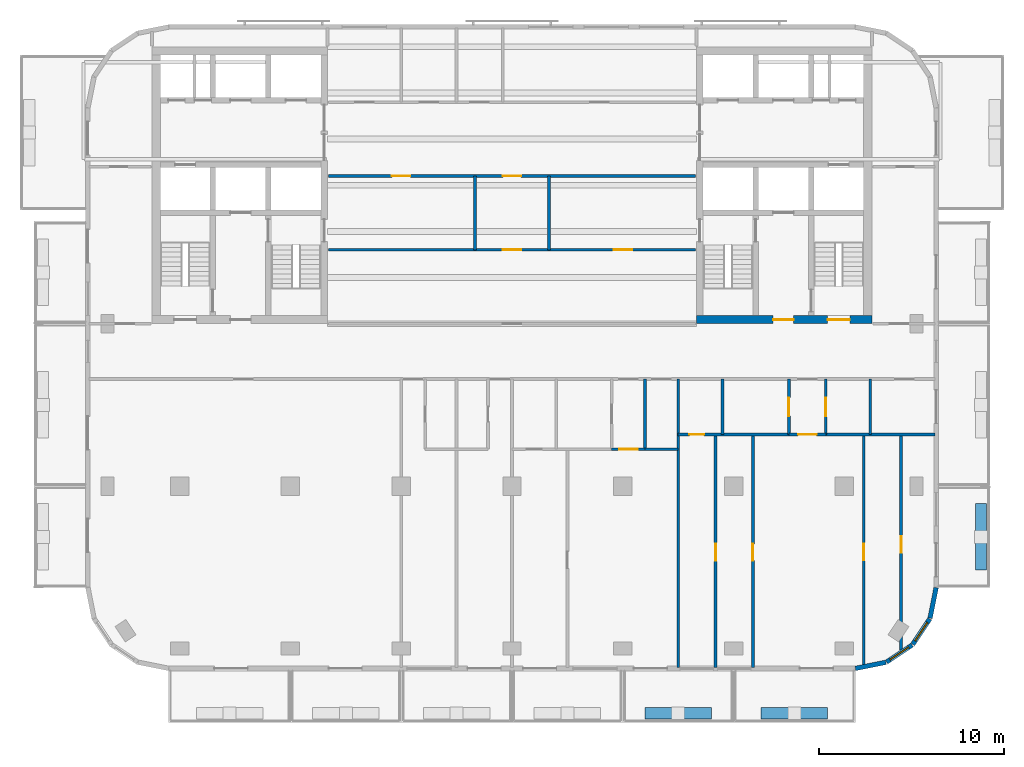
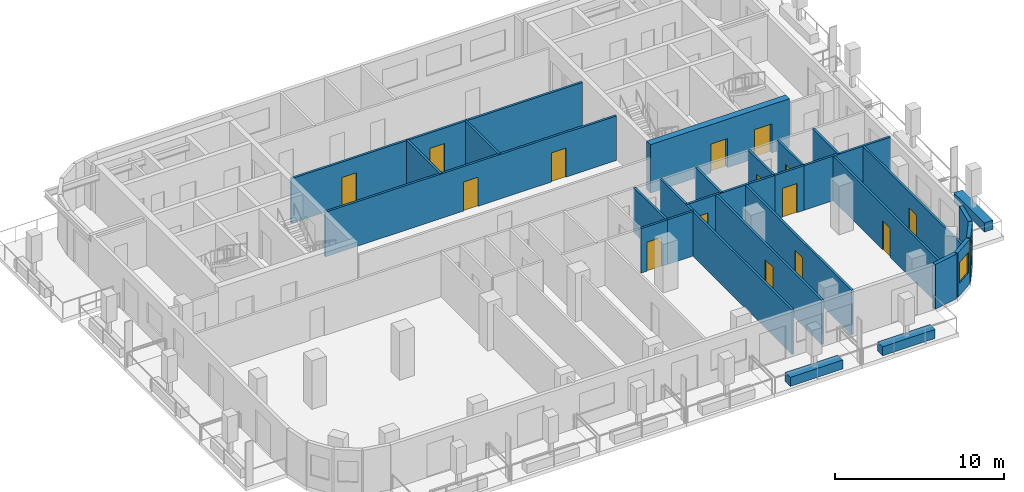
# One storey, part 4 of 10: 27 walls, 15 doors, 2 windows, 17 openings.
"""IFC4 building model written with IfcOpenShell, lengths in metres."""

from ifc_helpers import new_model, si_unit, direction, frame, frame_2d, origin, place, context, subcontext, project, spatial, rectangle, extrude, material, layer, layer_set, type_object, element, fill, save


model = new_model("IFC4")

# Units and contexts
model_context = context("Model", 3, precision=1e-05, world=origin(), true_north=direction((0.0, 1.0)))
body_context = subcontext(model_context, "Body", "Model", "MODEL_VIEW")
ifc_project = project(units=[si_unit("LENGTHUNIT", "METRE"), si_unit("AREAUNIT", "SQUARE_METRE"), si_unit("VOLUMEUNIT", "CUBIC_METRE"), si_unit("PLANEANGLEUNIT", "RADIAN"), si_unit("MASSUNIT", "GRAM", prefix="KILO")], contexts=[model_context])

# Site, building, storey
site_placement = place(None, origin())
site = spatial("IfcSite", under=ifc_project, at=site_placement, CompositionType="ELEMENT")
building_placement = place(site_placement, origin())
building = spatial("IfcBuilding", under=site, at=building_placement, Name="Torana Hotel and Residences", CompositionType="ELEMENT")
storey_placement = place(building_placement, frame((0.0, 0.0, 301.60009765625)))
storey = spatial("IfcBuildingStorey", under=building, at=storey_placement, Name="L80", CompositionType="ELEMENT", Elevation=301.60009765625)

# Wall, openings, doors
ifc_material_1 = material(Name="Concrete C60/75", Category="concrete")
ifc_layer_1 = layer(ifc_material_1, 0.449951171875)
ifc_layer_set_1 = layer_set([ifc_layer_1], Name="CORE WALL 450 C60/75")
wall_type_1 = type_object("IfcWallType", Name="CORE WALL 450 C60/75", PredefinedType="SHEAR", material=ifc_layer_set_1)
wall_1_placement = place(storey_placement, frame((10.0, -14.77490234375, 0.0), z_axis=(0.0, 0.0, 1.0), x_axis=(1.0, 0.0, 0.0)))
wall_1 = element("IfcWall", 1, at=wall_1_placement, inside=storey, type_object=wall_type_1, Name="Core wall E front", PredefinedType="SHEAR", context=body_context, shape_type="SweptSolid", body=[
    extrude(rectangle(XDim=9.5, YDim=0.449951171875, at=frame_2d((4.75, 0.0))), origin(), (0.0, 0.0, 1.0), 3.5),
])
opening_1_placement = place(wall_1_placement, frame((7.10009765625, 0.0, 0.0)))
opening_1 = element("IfcOpeningElement", 2, at=opening_1_placement, cuts=wall_1, Name="Opening L80-13", PredefinedType="OPENING", context=body_context, shape_type="SweptSolid", body=[
    extrude(rectangle(XDim=1.199951171875, YDim=2.10009765625, at=frame_2d((0.60009765625, 1.050048828125))), frame((0.0, 0.23486328125, 0.0), z_axis=(0.0, -1.0, 0.0), x_axis=(1.0, 0.0, 0.0)), (0.0, 0.0, 1.0), 0.469970703125),
])
opening_2_placement = place(wall_1_placement, frame((4.14990234375, 0.0, 0.0)))
opening_2 = element("IfcOpeningElement", 3, at=opening_2_placement, cuts=wall_1, Name="Opening L80-14", PredefinedType="OPENING", context=body_context, shape_type="SweptSolid", body=[
    extrude(rectangle(XDim=1.10009765625, YDim=2.10009765625, at=frame_2d((0.550048828125, 1.050048828125))), frame((0.0, 0.23486328125, 0.0), z_axis=(0.0, -1.0, 0.0), x_axis=(1.0, 0.0, 0.0)), (0.0, 0.0, 1.0), 0.469970703125),
])
ifc_material_2 = material(Name="Steel S235", Category="steel")
door_type_1 = type_object("IfcDoorType", Name="FIRE-FIGHTING LOBBY DOOR D8 1100x2100", OperationType="SINGLE_SWING_LEFT", PredefinedType="DOOR", material=ifc_material_2)
door_1_placement = place(opening_2_placement, origin())
door_1 = element("IfcDoor", 4, at=door_1_placement, inside=storey, type_object=door_type_1, Name="FF-lobby door L80", OperationType="SINGLE_SWING_RIGHT", OverallHeight=2.10009765625, OverallWidth=1.10009765625, PredefinedType="DOOR", context=body_context, shape_type="SweptSolid", body=[
    extrude(rectangle(XDim=1.10009765625, YDim=2.10009765625, at=frame_2d((0.550048828125, 1.050048828125))), frame((0.0, 0.02490234375, 0.0), z_axis=(0.0, -1.0, 0.0), x_axis=(1.0, 0.0, 0.0)), (0.0, 0.0, 1.0), 0.050048828125),
])
fill(opening_2, door_1)
ifc_material_3 = material(Name="Steel S235", Category="steel")
door_type_2 = type_object("IfcDoorType", Name="STAIR FIRE DOOR D3 1200x2100", OperationType="SINGLE_SWING_LEFT", PredefinedType="DOOR", material=ifc_material_3)
door_2_placement = place(opening_1_placement, origin())
door_2 = element("IfcDoor", 5, at=door_2_placement, inside=storey, type_object=door_type_2, Name="Stair-B door L80", OperationType="SINGLE_SWING_RIGHT", OverallHeight=2.10009765625, OverallWidth=1.199951171875, PredefinedType="DOOR", context=body_context, shape_type="SweptSolid", body=[
    extrude(rectangle(XDim=1.199951171875, YDim=2.10009765625, at=frame_2d((0.60009765625, 1.050048828125))), frame((0.0, 0.02490234375, 0.0), z_axis=(0.0, -1.0, 0.0), x_axis=(1.0, 0.0, 0.0)), (0.0, 0.0, 1.0), 0.050048828125),
])
fill(opening_1, door_2)

# Wall
ifc_material_4 = material(Name="Black aluminium composite panel", Category="aluminium")
ifc_layer_2 = layer(ifc_material_4, 0.00390625, Name="Cladding", Category="cladding")
ifc_material_5 = material(Name="Ventilated air cavity")
ifc_layer_3 = layer(ifc_material_5, 0.0400390625, Name="Ventilated cavity", Category="cavity")
ifc_material_6 = material(Name="Mineral wool insulation")
ifc_layer_4 = layer(ifc_material_6, 0.090087890625, Name="Insulation", Category="insulation")
ifc_material_7 = material(Name="Steel S280GD", Category="steel")
ifc_layer_5 = layer(ifc_material_7, 0.092041015625, Name="Steel stud frame", Category="structure")
ifc_material_8 = material(Name="Fire rated plasterboard")
ifc_layer_6 = layer(ifc_material_8, 0.011962890625, Name="Inner board", Category="finish")
ifc_layer_7 = layer(ifc_material_8, 0.011962890625, Name="Second board", Category="finish")
ifc_layer_set_2 = layer_set([ifc_layer_2, ifc_layer_3, ifc_layer_4, ifc_layer_5, ifc_layer_6, ifc_layer_7], Name="EW1 EXTERNAL WALL BLACK METAL CLAD 250")
wall_type_2 = type_object("IfcWallType", Name="EW1 EXTERNAL WALL BLACK METAL CLAD 250", PredefinedType="SOLIDWALL", material=ifc_layer_set_2)
wall_2_placement = place(storey_placement, frame((18.599853515625, -33.672607421875, 0.0), z_axis=(0.0, 0.0, 1.0), x_axis=(0.980770110232, 0.195166572128, 0.0)))
element("IfcWall", 6, at=wall_2_placement, inside=storey, type_object=wall_type_2, Name="External wall L80 e0.15", PredefinedType="SOLIDWALL", context=body_context, shape_type="SweptSolid", body=[
    extrude(rectangle(XDim=1.68115234375, YDim=0.25, at=frame_2d((0.840576171875, 0.0))), origin(), (0.0, 0.0, 1.0), 3.219970703125),
])

# Wall, opening, window
wall_3_placement = place(storey_placement, frame((20.2939453125, -33.325927734375, 0.0), z_axis=(0.0, 0.0, 1.0), x_axis=(0.831482937015, 0.55555029066, 0.0)))
wall_3 = element("IfcWall", 7, at=wall_3_placement, inside=storey, type_object=wall_type_2, Name="External wall L80 e0.16", PredefinedType="SOLIDWALL", context=body_context, shape_type="SweptSolid", body=[
    extrude(rectangle(XDim=1.65625, YDim=0.25, at=frame_2d((0.828125, 0.0))), origin(), (0.0, 0.0, 1.0), 3.219970703125),
])
opening_3_placement = place(wall_3_placement, frame((0.228271484375, 0.0, 0.89990234375)))
opening_3 = element("IfcOpeningElement", 8, at=opening_3_placement, cuts=wall_3, Name="Opening W5", PredefinedType="OPENING", context=body_context, shape_type="SweptSolid", body=[
    extrude(rectangle(XDim=1.199951171875, YDim=1.5, at=frame_2d((0.60009765625, 0.75))), frame((0.0, 0.135009765625, 0.0), z_axis=(0.0, -1.0, 0.0), x_axis=(1.0, 0.0, 0.0)), (0.0, 0.0, 1.0), 0.27001953125),
])
ifc_material_9 = material(Name="Dark glass in black aluminium frame", Category="aluminium")
window_type = type_object("IfcWindowType", Name="W5 CORNER FACET WINDOW 1200x1500", PartitioningType="SINGLE_PANEL", PredefinedType="WINDOW", material=ifc_material_9)
window_1_placement = place(opening_3_placement, origin())
window_1 = element("IfcWindow", 9, at=window_1_placement, inside=storey, type_object=window_type, Name="Window L80 e0.16", OverallHeight=1.5, OverallWidth=1.199951171875, PartitioningType="SINGLE_PANEL", PredefinedType="WINDOW", context=body_context, shape_type="SweptSolid", body=[
    extrude(rectangle(XDim=1.199951171875, YDim=1.5, at=frame_2d((0.60009765625, 0.75))), frame((0.0, 0.030029296875, 0.0), z_axis=(0.0, -1.0, 0.0), x_axis=(1.0, 0.0, 0.0)), (0.0, 0.0, 1.0), 0.06005859375),
])
fill(opening_3, window_1)

wall_4_placement = place(storey_placement, frame((21.705810546875, -32.37109375, 0.0), z_axis=(0.0, 0.0, 1.0), x_axis=(0.55555029066, 0.831482937015, 0.0)))
wall_4 = element("IfcWall", 10, at=wall_4_placement, inside=storey, type_object=wall_type_2, Name="External wall L80 e0.17", PredefinedType="SOLIDWALL", context=body_context, shape_type="SweptSolid", body=[
    extrude(rectangle(XDim=1.65625, YDim=0.25, at=frame_2d((0.828125, 0.0))), origin(), (0.0, 0.0, 1.0), 3.219970703125),
])
opening_4_placement = place(wall_4_placement, frame((0.228271484375, 0.0, 0.89990234375)))
opening_4 = element("IfcOpeningElement", 11, at=opening_4_placement, cuts=wall_4, Name="Opening W5", PredefinedType="OPENING", context=body_context, shape_type="SweptSolid", body=[
    extrude(rectangle(XDim=1.199951171875, YDim=1.5, at=frame_2d((0.60009765625, 0.75))), frame((0.0, 0.135009765625, 0.0), z_axis=(0.0, -1.0, 0.0), x_axis=(1.0, 0.0, 0.0)), (0.0, 0.0, 1.0), 0.27001953125),
])
window_2_placement = place(opening_4_placement, origin())
window_2 = element("IfcWindow", 12, at=window_2_placement, inside=storey, type_object=window_type, Name="Window L80 e0.17", OverallHeight=1.5, OverallWidth=1.199951171875, PartitioningType="SINGLE_PANEL", PredefinedType="WINDOW", context=body_context, shape_type="SweptSolid", body=[
    extrude(rectangle(XDim=1.199951171875, YDim=1.5, at=frame_2d((0.60009765625, 0.75))), frame((0.0, 0.030029296875, 0.0), z_axis=(0.0, -1.0, 0.0), x_axis=(1.0, 0.0, 0.0)), (0.0, 0.0, 1.0), 0.06005859375),
])
fill(opening_4, window_2)

# Wall
wall_5_placement = place(storey_placement, frame((22.64453125, -30.948974609375, 0.0), z_axis=(0.0, 0.0, 1.0), x_axis=(0.19513878023, 0.980775640221, 0.0)))
element("IfcWall", 13, at=wall_5_placement, inside=storey, type_object=wall_type_2, Name="External wall L80 e0.18", PredefinedType="SOLIDWALL", context=body_context, shape_type="SweptSolid", body=[
    extrude(rectangle(XDim=1.681396484375, YDim=0.25, at=frame_2d((0.8408203125, 0.0))), origin(), (0.0, 0.0, 1.0), 3.219970703125),
])

# Wall, opening, door
ifc_material_10 = material(Name="Gypsum plaster")
ifc_layer_8 = layer(ifc_material_10, 0.014892578125, Name="Plaster", Category="finish")
ifc_material_11 = material(Name="Concrete blockwork", Category="masonry")
ifc_layer_9 = layer(ifc_material_11, 0.1201171875, Name="Blockwork", Category="structure")
ifc_layer_10 = layer(ifc_material_10, 0.014892578125, Name="Plaster", Category="finish")
ifc_layer_set_3 = layer_set([ifc_layer_8, ifc_layer_9, ifc_layer_10], Name="FIRE PARTITION 150 BLOCKWORK")
wall_type_3 = type_object("IfcWallType", Name="FIRE PARTITION 150 BLOCKWORK", PredefinedType="PARTITIONING", material=ifc_layer_set_3)
wall_6_placement = place(storey_placement, frame((17.0, -21.0, 0.0), z_axis=(0.0, 0.0, 1.0), x_axis=(0.0, 1.0, 0.0)))
wall_6 = element("IfcWall", 14, at=wall_6_placement, inside=storey, type_object=wall_type_3, Name="Partition L80", PredefinedType="PARTITIONING", context=body_context, shape_type="SweptSolid", body=[
    extrude(rectangle(XDim=3.0, YDim=0.14990234375, at=frame_2d((1.5, 0.0))), origin(), (0.0, 0.0, 1.0), 3.219970703125),
])
opening_5_placement = place(wall_6_placement, frame((1.0, 0.0, 0.0)))
opening_5 = element("IfcOpeningElement", 15, at=opening_5_placement, cuts=wall_6, Name="Opening L80-45", PredefinedType="OPENING", context=body_context, shape_type="SweptSolid", body=[
    extrude(rectangle(XDim=1.0, YDim=2.10009765625, at=frame_2d((0.5, 1.050048828125))), frame((0.0, 0.0849609375, 0.0), z_axis=(0.0, -1.0, 0.0), x_axis=(1.0, 0.0, 0.0)), (0.0, 0.0, 1.0), 0.169921875),
])
ifc_material_12 = material(Name="Steel S235", Category="steel")
door_type_3 = type_object("IfcDoorType", Name="ENTRY FIRE DOOR D6 1000x2100", OperationType="SINGLE_SWING_LEFT", PredefinedType="DOOR", material=ifc_material_12)
door_3_placement = place(opening_5_placement, frame((0.5, 0.0, 0.0), z_axis=(0.0, 0.0, 1.0), x_axis=(-1.0, 0.0, 0.0)))
door_3 = element("IfcDoor", 16, at=door_3_placement, inside=storey, type_object=door_type_3, Name="Door L80", OperationType="SINGLE_SWING_LEFT", OverallHeight=2.10009765625, OverallWidth=1.0, PredefinedType="DOOR", context=body_context, shape_type="SweptSolid", body=[
    extrude(rectangle(XDim=1.0, YDim=2.10009765625, at=frame_2d((0.0, 1.050048828125))), frame((0.0, -0.02490234375, 0.0), z_axis=(0.0, 1.0, 0.0), x_axis=(-1.0, 0.0, 0.0)), (0.0, 0.0, 1.0), 0.050048828125),
])
fill(opening_5, door_3)

wall_7_placement = place(storey_placement, frame((15.0, -21.0, 0.0), z_axis=(0.0, 0.0, 1.0), x_axis=(0.0, 1.0, 0.0)))
wall_7 = element("IfcWall", 17, at=wall_7_placement, inside=storey, type_object=wall_type_3, Name="Partition L80", PredefinedType="PARTITIONING", context=body_context, shape_type="SweptSolid", body=[
    extrude(rectangle(XDim=3.0, YDim=0.14990234375, at=frame_2d((1.5, 0.0))), origin(), (0.0, 0.0, 1.0), 3.219970703125),
])
opening_6_placement = place(wall_7_placement, frame((1.0, 0.0, 0.0)))
opening_6 = element("IfcOpeningElement", 18, at=opening_6_placement, cuts=wall_7, Name="Opening L80-44", PredefinedType="OPENING", context=body_context, shape_type="SweptSolid", body=[
    extrude(rectangle(XDim=1.0, YDim=2.10009765625, at=frame_2d((0.5, 1.050048828125))), frame((0.0, 0.0849609375, 0.0), z_axis=(0.0, -1.0, 0.0), x_axis=(1.0, 0.0, 0.0)), (0.0, 0.0, 1.0), 0.169921875),
])
door_4_placement = place(opening_6_placement, origin())
door_4 = element("IfcDoor", 19, at=door_4_placement, inside=storey, type_object=door_type_3, Name="Door L80", OperationType="SINGLE_SWING_RIGHT", OverallHeight=2.10009765625, OverallWidth=1.0, PredefinedType="DOOR", context=body_context, shape_type="SweptSolid", body=[
    extrude(rectangle(XDim=1.0, YDim=2.10009765625, at=frame_2d((0.5, 1.050048828125))), frame((0.0, 0.02490234375, 0.0), z_axis=(0.0, -1.0, 0.0), x_axis=(1.0, 0.0, 0.0)), (0.0, 0.0, 1.0), 0.050048828125),
])
fill(opening_6, door_4)

# Walls
wall_8_placement = place(storey_placement, frame((7.199951171875, -21.800048828125, 0.0), z_axis=(0.0, 0.0, 1.0), x_axis=(0.0, 1.0, 0.0)))
element("IfcWall", 20, at=wall_8_placement, inside=storey, type_object=wall_type_3, Name="Partition L80", PredefinedType="PARTITIONING", context=body_context, shape_type="SweptSolid", body=[
    extrude(rectangle(XDim=3.800048828125, YDim=0.14990234375, at=frame_2d((1.89990234375, 0.0))), origin(), (0.0, 0.0, 1.0), 3.219970703125),
])
for number, where, z_axis, x_axis, name in (
    (21, (2.0, -11.0, 0.0), (0.0, 0.0, 1.0), (0.0, 1.0, 0.0), "Partition L80"),
    (22, (-2.0, -11.0, 0.0), (0.0, 0.0, 1.0), (0.0, 1.0, 0.0), "Partition L80"),
):
    element("IfcWall", number, at=place(storey_placement, frame(where, z_axis=z_axis, x_axis=x_axis)), inside=storey, type_object=wall_type_3, Name=name, PredefinedType="PARTITIONING", context=body_context, shape_type="SweptSolid", body=[
        extrude(rectangle(XDim=4.0, YDim=0.14990234375, at=frame_2d((2.0, 0.0))), origin(), (0.0, 0.0, 1.0), 3.219970703125),
    ])

# Wall, opening, door
wall_9_placement = place(storey_placement, frame((5.39990234375, -21.800048828125, 0.0), z_axis=(0.0, 0.0, 1.0), x_axis=(1.0, 0.0, 0.0)))
wall_9 = element("IfcWall", 23, at=wall_9_placement, inside=storey, type_object=wall_type_3, Name="Partition L80", PredefinedType="PARTITIONING", context=body_context, shape_type="SweptSolid", body=[
    extrude(rectangle(XDim=1.800048828125, YDim=0.14990234375, at=frame_2d((0.89990234375, 0.0))), origin(), (0.0, 0.0, 1.0), 3.219970703125),
])
opening_7_placement = place(wall_9_placement, frame((0.39990234375, 0.0, 0.0)))
opening_7 = element("IfcOpeningElement", 24, at=opening_7_placement, cuts=wall_9, Name="Opening L80-41", PredefinedType="OPENING", context=body_context, shape_type="SweptSolid", body=[
    extrude(rectangle(XDim=1.0, YDim=2.10009765625, at=frame_2d((0.5, 1.050048828125))), frame((0.0, 0.0849609375, 0.0), z_axis=(0.0, -1.0, 0.0), x_axis=(1.0, 0.0, 0.0)), (0.0, 0.0, 1.0), 0.169921875),
])
door_5_placement = place(opening_7_placement, frame((0.5, 0.0, 0.0), z_axis=(0.0, 0.0, 1.0), x_axis=(-1.0, 0.0, 0.0)))
door_5 = element("IfcDoor", 25, at=door_5_placement, inside=storey, type_object=door_type_3, Name="Door L80", OperationType="SINGLE_SWING_LEFT", OverallHeight=2.10009765625, OverallWidth=1.0, PredefinedType="DOOR", context=body_context, shape_type="SweptSolid", body=[
    extrude(rectangle(XDim=1.0, YDim=2.10009765625, at=frame_2d((0.0, 1.050048828125))), frame((0.0, -0.02490234375, 0.0), z_axis=(0.0, 1.0, 0.0), x_axis=(-1.0, 0.0, 0.0)), (0.0, 0.0, 1.0), 0.050048828125),
])
fill(opening_7, door_5)

wall_10_placement = place(storey_placement, frame((15.0, -21.0, 0.0), z_axis=(0.0, 0.0, 1.0), x_axis=(1.0, 0.0, 0.0)))
wall_10 = element("IfcWall", 26, at=wall_10_placement, inside=storey, type_object=wall_type_3, Name="Partition L80", PredefinedType="PARTITIONING", context=body_context, shape_type="SweptSolid", body=[
    extrude(rectangle(XDim=2.0, YDim=0.14990234375, at=frame_2d((1.0, 0.0))), origin(), (0.0, 0.0, 1.0), 3.219970703125),
])
opening_8_placement = place(wall_10_placement, frame((0.5, 0.0, 0.0)))
opening_8 = element("IfcOpeningElement", 27, at=opening_8_placement, cuts=wall_10, Name="Opening L80-46", PredefinedType="OPENING", context=body_context, shape_type="SweptSolid", body=[
    extrude(rectangle(XDim=1.0, YDim=2.10009765625, at=frame_2d((0.5, 1.050048828125))), frame((0.0, 0.0849609375, 0.0), z_axis=(0.0, -1.0, 0.0), x_axis=(1.0, 0.0, 0.0)), (0.0, 0.0, 1.0), 0.169921875),
])
door_6_placement = place(opening_8_placement, frame((0.5, 0.0, 0.0), z_axis=(0.0, 0.0, 1.0), x_axis=(-1.0, 0.0, 0.0)))
door_6 = element("IfcDoor", 28, at=door_6_placement, inside=storey, type_object=door_type_3, Name="Door L80", OperationType="SINGLE_SWING_LEFT", OverallHeight=2.10009765625, OverallWidth=1.0, PredefinedType="DOOR", context=body_context, shape_type="SweptSolid", body=[
    extrude(rectangle(XDim=1.0, YDim=2.10009765625, at=frame_2d((0.0, 1.050048828125))), frame((0.0, -0.02490234375, 0.0), z_axis=(0.0, 1.0, 0.0), x_axis=(-1.0, 0.0, 0.0)), (0.0, 0.0, 1.0), 0.050048828125),
])
fill(opening_8, door_6)

# Wall, openings, doors
wall_11_placement = place(storey_placement, frame((-9.949951171875, -11.0, 0.0), z_axis=(0.0, 0.0, 1.0), x_axis=(1.0, 0.0, 0.0)))
wall_11 = element("IfcWall", 29, at=wall_11_placement, inside=storey, type_object=wall_type_3, Name="Partition L80", PredefinedType="PARTITIONING", context=body_context, shape_type="SweptSolid", body=[
    extrude(rectangle(XDim=19.89990234375, YDim=0.14990234375, at=frame_2d((9.949951171875, 0.0))), origin(), (0.0, 0.0, 1.0), 3.219970703125),
])
opening_9_placement = place(wall_11_placement, frame((9.449951171875, 0.0, 0.0)))
opening_9 = element("IfcOpeningElement", 30, at=opening_9_placement, cuts=wall_11, Name="Opening L80-29", PredefinedType="OPENING", context=body_context, shape_type="SweptSolid", body=[
    extrude(rectangle(XDim=1.0, YDim=2.10009765625, at=frame_2d((0.5, 1.050048828125))), frame((0.0, 0.0849609375, 0.0), z_axis=(0.0, -1.0, 0.0), x_axis=(1.0, 0.0, 0.0)), (0.0, 0.0, 1.0), 0.169921875),
])
opening_10_placement = place(wall_11_placement, frame((15.449951171875, 0.0, 0.0)))
opening_10 = element("IfcOpeningElement", 31, at=opening_10_placement, cuts=wall_11, Name="Opening L80-30", PredefinedType="OPENING", context=body_context, shape_type="SweptSolid", body=[
    extrude(rectangle(XDim=1.0, YDim=2.10009765625, at=frame_2d((0.5, 1.050048828125))), frame((0.0, 0.0849609375, 0.0), z_axis=(0.0, -1.0, 0.0), x_axis=(1.0, 0.0, 0.0)), (0.0, 0.0, 1.0), 0.169921875),
])
door_7_placement = place(opening_9_placement, origin())
door_7 = element("IfcDoor", 32, at=door_7_placement, inside=storey, type_object=door_type_3, Name="Door L80", OperationType="SINGLE_SWING_RIGHT", OverallHeight=2.10009765625, OverallWidth=1.0, PredefinedType="DOOR", context=body_context, shape_type="SweptSolid", body=[
    extrude(rectangle(XDim=1.0, YDim=2.10009765625, at=frame_2d((0.5, 1.050048828125))), frame((0.0, 0.02490234375, 0.0), z_axis=(0.0, -1.0, 0.0), x_axis=(1.0, 0.0, 0.0)), (0.0, 0.0, 1.0), 0.050048828125),
])
fill(opening_9, door_7)
door_8_placement = place(opening_10_placement, origin())
door_8 = element("IfcDoor", 33, at=door_8_placement, inside=storey, type_object=door_type_3, Name="Door L80", OperationType="SINGLE_SWING_RIGHT", OverallHeight=2.10009765625, OverallWidth=1.0, PredefinedType="DOOR", context=body_context, shape_type="SweptSolid", body=[
    extrude(rectangle(XDim=1.0, YDim=2.10009765625, at=frame_2d((0.5, 1.050048828125))), frame((0.0, 0.02490234375, 0.0), z_axis=(0.0, -1.0, 0.0), x_axis=(1.0, 0.0, 0.0)), (0.0, 0.0, 1.0), 0.050048828125),
])
fill(opening_10, door_8)

wall_12_placement = place(storey_placement, frame((-9.949951171875, -7.0, 0.0), z_axis=(0.0, 0.0, 1.0), x_axis=(1.0, 0.0, 0.0)))
wall_12 = element("IfcWall", 34, at=wall_12_placement, inside=storey, type_object=wall_type_3, Name="Partition L80", PredefinedType="PARTITIONING", context=body_context, shape_type="SweptSolid", body=[
    extrude(rectangle(XDim=19.89990234375, YDim=0.14990234375, at=frame_2d((9.949951171875, 0.0))), origin(), (0.0, 0.0, 1.0), 3.219970703125),
])
opening_11_placement = place(wall_12_placement, frame((9.449951171875, 0.0, 0.0)))
opening_11 = element("IfcOpeningElement", 35, at=opening_11_placement, cuts=wall_12, Name="Opening L80-31", PredefinedType="OPENING", context=body_context, shape_type="SweptSolid", body=[
    extrude(rectangle(XDim=1.0, YDim=2.10009765625, at=frame_2d((0.5, 1.050048828125))), frame((0.0, 0.0849609375, 0.0), z_axis=(0.0, -1.0, 0.0), x_axis=(1.0, 0.0, 0.0)), (0.0, 0.0, 1.0), 0.169921875),
])
opening_12_placement = place(wall_12_placement, frame((3.449951171875, 0.0, 0.0)))
opening_12 = element("IfcOpeningElement", 36, at=opening_12_placement, cuts=wall_12, Name="Opening L80-32", PredefinedType="OPENING", context=body_context, shape_type="SweptSolid", body=[
    extrude(rectangle(XDim=1.0, YDim=2.10009765625, at=frame_2d((0.5, 1.050048828125))), frame((0.0, 0.0849609375, 0.0), z_axis=(0.0, -1.0, 0.0), x_axis=(1.0, 0.0, 0.0)), (0.0, 0.0, 1.0), 0.169921875),
])
door_9_placement = place(opening_11_placement, origin())
door_9 = element("IfcDoor", 37, at=door_9_placement, inside=storey, type_object=door_type_3, Name="Door L80", OperationType="SINGLE_SWING_RIGHT", OverallHeight=2.10009765625, OverallWidth=1.0, PredefinedType="DOOR", context=body_context, shape_type="SweptSolid", body=[
    extrude(rectangle(XDim=1.0, YDim=2.10009765625, at=frame_2d((0.5, 1.050048828125))), frame((0.0, 0.02490234375, 0.0), z_axis=(0.0, -1.0, 0.0), x_axis=(1.0, 0.0, 0.0)), (0.0, 0.0, 1.0), 0.050048828125),
])
fill(opening_11, door_9)
door_10_placement = place(opening_12_placement, frame((0.5, 0.0, 0.0), z_axis=(0.0, 0.0, 1.0), x_axis=(-1.0, 0.0, 0.0)))
door_10 = element("IfcDoor", 38, at=door_10_placement, inside=storey, type_object=door_type_3, Name="Door L80", OperationType="SINGLE_SWING_LEFT", OverallHeight=2.10009765625, OverallWidth=1.0, PredefinedType="DOOR", context=body_context, shape_type="SweptSolid", body=[
    extrude(rectangle(XDim=1.0, YDim=2.10009765625, at=frame_2d((0.0, 1.050048828125))), frame((0.0, -0.02490234375, 0.0), z_axis=(0.0, 1.0, 0.0), x_axis=(-1.0, 0.0, 0.0)), (0.0, 0.0, 1.0), 0.050048828125),
])
fill(opening_12, door_10)

# Wall, opening, door
ifc_material_13 = material(Name="Gypsum plasterboard")
ifc_layer_11 = layer(ifc_material_13, 0.012451171875, Name="Plasterboard", Category="finish")
ifc_layer_12 = layer(ifc_material_13, 0.012451171875, Name="Plasterboard", Category="finish")
ifc_layer_13 = layer(ifc_material_7, 0.10009765625, Name="Steel studs with mineral wool", Category="insulation")
ifc_layer_14 = layer(ifc_material_13, 0.012451171875, Name="Plasterboard", Category="finish")
ifc_layer_15 = layer(ifc_material_13, 0.012451171875, Name="Plasterboard", Category="finish")
ifc_layer_set_4 = layer_set([ifc_layer_11, ifc_layer_12, ifc_layer_13, ifc_layer_14, ifc_layer_15], Name="PARTITION 150 PLASTERBOARD")
wall_type_4 = type_object("IfcWallType", Name="PARTITION 150 PLASTERBOARD", PredefinedType="PARTITIONING", material=ifc_layer_set_4)
wall_13_placement = place(storey_placement, frame((21.074951171875, -32.665771484375, 0.0), z_axis=(0.0, 0.0, 1.0), x_axis=(0.0, 1.0, 0.0)))
wall_13 = element("IfcWall", 39, at=wall_13_placement, inside=storey, type_object=wall_type_4, Name="Partition L80", PredefinedType="PARTITIONING", context=body_context, shape_type="SweptSolid", body=[
    extrude(rectangle(XDim=11.665771484375, YDim=0.14990234375, at=frame_2d((5.8330078125, 0.0))), origin(), (0.0, 0.0, 1.0), 3.219970703125),
])
opening_13_placement = place(wall_13_placement, frame((5.245849609375, 0.0, 0.0)))
opening_13 = element("IfcOpeningElement", 40, at=opening_13_placement, cuts=wall_13, Name="Opening L80-50", PredefinedType="OPENING", context=body_context, shape_type="SweptSolid", body=[
    extrude(rectangle(XDim=0.89990234375, YDim=2.10009765625, at=frame_2d((0.449951171875, 1.050048828125))), frame((0.0, 0.0849609375, 0.0), z_axis=(0.0, -1.0, 0.0), x_axis=(1.0, 0.0, 0.0)), (0.0, 0.0, 1.0), 0.169921875),
])
ifc_material_14 = material(Name="Timber door, oiled ash", Category="wood")
door_type_4 = type_object("IfcDoorType", Name="ROOM DOOR D7 900x2100", OperationType="SINGLE_SWING_LEFT", PredefinedType="DOOR", material=ifc_material_14)
door_11_placement = place(opening_13_placement, origin())
door_11 = element("IfcDoor", 41, at=door_11_placement, inside=storey, type_object=door_type_4, Name="Door L80", OperationType="SINGLE_SWING_RIGHT", OverallHeight=2.10009765625, OverallWidth=0.89990234375, PredefinedType="DOOR", context=body_context, shape_type="SweptSolid", body=[
    extrude(rectangle(XDim=0.89990234375, YDim=2.10009765625, at=frame_2d((0.449951171875, 1.050048828125))), frame((0.0, 0.02490234375, 0.0), z_axis=(0.0, -1.0, 0.0), x_axis=(1.0, 0.0, 0.0)), (0.0, 0.0, 1.0), 0.050048828125),
])
fill(opening_13, door_11)

# Wall
wall_14_placement = place(storey_placement, frame((19.39990234375, -21.0, 0.0), z_axis=(0.0, 0.0, 1.0), x_axis=(0.0, 1.0, 0.0)))
element("IfcWall", 42, at=wall_14_placement, inside=storey, type_object=wall_type_4, Name="Partition L80", PredefinedType="PARTITIONING", context=body_context, shape_type="SweptSolid", body=[
    extrude(rectangle(XDim=3.0, YDim=0.14990234375, at=frame_2d((1.5, 0.0))), origin(), (0.0, 0.0, 1.0), 3.219970703125),
])

# Wall, opening, door
wall_15_placement = place(storey_placement, frame((19.050048828125, -33.527099609375, 0.0), z_axis=(0.0, 0.0, 1.0), x_axis=(0.0, 1.0, 0.0)))
wall_15 = element("IfcWall", 43, at=wall_15_placement, inside=storey, type_object=wall_type_4, Name="Partition L80", PredefinedType="PARTITIONING", context=body_context, shape_type="SweptSolid", body=[
    extrude(rectangle(XDim=12.527099609375, YDim=0.14990234375, at=frame_2d((6.263671875, 0.0))), origin(), (0.0, 0.0, 1.0), 3.219970703125),
])
opening_14_placement = place(wall_15_placement, frame((5.70703125, 0.0, 0.0)))
opening_14 = element("IfcOpeningElement", 44, at=opening_14_placement, cuts=wall_15, Name="Opening L80-48", PredefinedType="OPENING", context=body_context, shape_type="SweptSolid", body=[
    extrude(rectangle(XDim=0.89990234375, YDim=2.10009765625, at=frame_2d((0.449951171875, 1.050048828125))), frame((0.0, 0.0849609375, 0.0), z_axis=(0.0, -1.0, 0.0), x_axis=(1.0, 0.0, 0.0)), (0.0, 0.0, 1.0), 0.169921875),
])
door_12_placement = place(opening_14_placement, origin())
door_12 = element("IfcDoor", 45, at=door_12_placement, inside=storey, type_object=door_type_4, Name="Door L80", OperationType="SINGLE_SWING_RIGHT", OverallHeight=2.10009765625, OverallWidth=0.89990234375, PredefinedType="DOOR", context=body_context, shape_type="SweptSolid", body=[
    extrude(rectangle(XDim=0.89990234375, YDim=2.10009765625, at=frame_2d((0.449951171875, 1.050048828125))), frame((0.0, 0.02490234375, 0.0), z_axis=(0.0, -1.0, 0.0), x_axis=(1.0, 0.0, 0.0)), (0.0, 0.0, 1.0), 0.050048828125),
])
fill(opening_14, door_12)

wall_16_placement = place(storey_placement, frame((13.050048828125, -33.6201171875, 0.0), z_axis=(0.0, 0.0, 1.0), x_axis=(0.0, 1.0, 0.0)))
wall_16 = element("IfcWall", 46, at=wall_16_placement, inside=storey, type_object=wall_type_4, Name="Partition L80", PredefinedType="PARTITIONING", context=body_context, shape_type="SweptSolid", body=[
    extrude(rectangle(XDim=12.6201171875, YDim=0.14990234375, at=frame_2d((6.31005859375, 0.0))), origin(), (0.0, 0.0, 1.0), 3.219970703125),
])
opening_15_placement = place(wall_16_placement, frame((5.7900390625, 0.0, 0.0)))
opening_15 = element("IfcOpeningElement", 47, at=opening_15_placement, cuts=wall_16, Name="Opening L80-47", PredefinedType="OPENING", context=body_context, shape_type="SweptSolid", body=[
    extrude(rectangle(XDim=0.89990234375, YDim=2.10009765625, at=frame_2d((0.449951171875, 1.050048828125))), frame((0.0, 0.0849609375, 0.0), z_axis=(0.0, -1.0, 0.0), x_axis=(1.0, 0.0, 0.0)), (0.0, 0.0, 1.0), 0.169921875),
])
door_13_placement = place(opening_15_placement, origin())
door_13 = element("IfcDoor", 48, at=door_13_placement, inside=storey, type_object=door_type_4, Name="Door L80", OperationType="SINGLE_SWING_RIGHT", OverallHeight=2.10009765625, OverallWidth=0.89990234375, PredefinedType="DOOR", context=body_context, shape_type="SweptSolid", body=[
    extrude(rectangle(XDim=0.89990234375, YDim=2.10009765625, at=frame_2d((0.449951171875, 1.050048828125))), frame((0.0, 0.02490234375, 0.0), z_axis=(0.0, -1.0, 0.0), x_axis=(1.0, 0.0, 0.0)), (0.0, 0.0, 1.0), 0.050048828125),
])
fill(opening_15, door_13)

# Wall
wall_17_placement = place(storey_placement, frame((11.39990234375, -21.0, 0.0), z_axis=(0.0, 0.0, 1.0), x_axis=(0.0, 1.0, 0.0)))
element("IfcWall", 49, at=wall_17_placement, inside=storey, type_object=wall_type_4, Name="Partition L80", PredefinedType="PARTITIONING", context=body_context, shape_type="SweptSolid", body=[
    extrude(rectangle(XDim=3.0, YDim=0.14990234375, at=frame_2d((1.5, 0.0))), origin(), (0.0, 0.0, 1.0), 3.219970703125),
])

# Wall, opening, door
wall_18_placement = place(storey_placement, frame((11.02490234375, -33.6201171875, 0.0), z_axis=(0.0, 0.0, 1.0), x_axis=(0.0, 1.0, 0.0)))
wall_18 = element("IfcWall", 50, at=wall_18_placement, inside=storey, type_object=wall_type_4, Name="Partition L80", PredefinedType="PARTITIONING", context=body_context, shape_type="SweptSolid", body=[
    extrude(rectangle(XDim=12.6201171875, YDim=0.14990234375, at=frame_2d((6.31005859375, 0.0))), origin(), (0.0, 0.0, 1.0), 3.219970703125),
])
opening_16_placement = place(wall_18_placement, frame((5.7900390625, 0.0, 0.0)))
opening_16 = element("IfcOpeningElement", 51, at=opening_16_placement, cuts=wall_18, Name="Opening L80-49", PredefinedType="OPENING", context=body_context, shape_type="SweptSolid", body=[
    extrude(rectangle(XDim=0.89990234375, YDim=2.10009765625, at=frame_2d((0.449951171875, 1.050048828125))), frame((0.0, 0.0849609375, 0.0), z_axis=(0.0, -1.0, 0.0), x_axis=(1.0, 0.0, 0.0)), (0.0, 0.0, 1.0), 0.169921875),
])
door_14_placement = place(opening_16_placement, origin())
door_14 = element("IfcDoor", 52, at=door_14_placement, inside=storey, type_object=door_type_4, Name="Door L80", OperationType="SINGLE_SWING_RIGHT", OverallHeight=2.10009765625, OverallWidth=0.89990234375, PredefinedType="DOOR", context=body_context, shape_type="SweptSolid", body=[
    extrude(rectangle(XDim=0.89990234375, YDim=2.10009765625, at=frame_2d((0.449951171875, 1.050048828125))), frame((0.0, 0.02490234375, 0.0), z_axis=(0.0, -1.0, 0.0), x_axis=(1.0, 0.0, 0.0)), (0.0, 0.0, 1.0), 0.050048828125),
])
fill(opening_16, door_14)

# Walls
wall_19_placement = place(storey_placement, frame((9.0, -33.6201171875, 0.0), z_axis=(0.0, 0.0, 1.0), x_axis=(0.0, 1.0, 0.0)))
element("IfcWall", 53, at=wall_19_placement, inside=storey, type_object=wall_type_4, Name="Partition L80", PredefinedType="PARTITIONING", context=body_context, shape_type="SweptSolid", body=[
    extrude(rectangle(XDim=15.6201171875, YDim=0.14990234375, at=frame_2d((7.81005859375, 0.0))), origin(), (0.0, 0.0, 1.0), 3.219970703125),
])
wall_20_placement = place(storey_placement, frame((7.199951171875, -21.800048828125, 0.0), z_axis=(0.0, 0.0, 1.0), x_axis=(1.0, 0.0, 0.0)))
element("IfcWall", 54, at=wall_20_placement, inside=storey, type_object=wall_type_4, Name="Partition L80", PredefinedType="PARTITIONING", context=body_context, shape_type="SweptSolid", body=[
    extrude(rectangle(XDim=1.800048828125, YDim=0.14990234375, at=frame_2d((0.89990234375, 0.0))), origin(), (0.0, 0.0, 1.0), 3.219970703125),
])

# Wall, opening, door
wall_21_placement = place(storey_placement, frame((9.0, -21.0, 0.0), z_axis=(0.0, 0.0, 1.0), x_axis=(1.0, 0.0, 0.0)))
wall_21 = element("IfcWall", 55, at=wall_21_placement, inside=storey, type_object=wall_type_4, Name="Partition L80", PredefinedType="PARTITIONING", context=body_context, shape_type="SweptSolid", body=[
    extrude(rectangle(XDim=6.0, YDim=0.14990234375, at=frame_2d((3.0, 0.0))), origin(), (0.0, 0.0, 1.0), 3.219970703125),
])
opening_17_placement = place(wall_21_placement, frame((0.612060546875, 0.0, 0.0)))
opening_17 = element("IfcOpeningElement", 56, at=opening_17_placement, cuts=wall_21, Name="Opening L80-43", PredefinedType="OPENING", context=body_context, shape_type="SweptSolid", body=[
    extrude(rectangle(XDim=0.800048828125, YDim=2.10009765625, at=frame_2d((0.39990234375, 1.050048828125))), frame((0.0, 0.0849609375, 0.0), z_axis=(0.0, -1.0, 0.0), x_axis=(1.0, 0.0, 0.0)), (0.0, 0.0, 1.0), 0.169921875),
])
ifc_material_15 = material(Name="Timber door, painted", Category="wood")
door_type_5 = type_object("IfcDoorType", Name="BATH DOOR D13 800x2100", OperationType="SINGLE_SWING_LEFT", PredefinedType="DOOR", material=ifc_material_15)
door_15_placement = place(opening_17_placement, origin())
door_15 = element("IfcDoor", 57, at=door_15_placement, inside=storey, type_object=door_type_5, Name="Door L80", OperationType="SINGLE_SWING_RIGHT", OverallHeight=2.10009765625, OverallWidth=0.800048828125, PredefinedType="DOOR", context=body_context, shape_type="SweptSolid", body=[
    extrude(rectangle(XDim=0.800048828125, YDim=2.10009765625, at=frame_2d((0.39990234375, 1.050048828125))), frame((0.0, 0.02490234375, 0.0), z_axis=(0.0, -1.0, 0.0), x_axis=(1.0, 0.0, 0.0)), (0.0, 0.0, 1.0), 0.050048828125),
])
fill(opening_17, door_15)

# Walls
wall_22_placement = place(storey_placement, frame((17.0, -21.0, 0.0), z_axis=(0.0, 0.0, 1.0), x_axis=(1.0, 0.0, 0.0)))
element("IfcWall", 58, at=wall_22_placement, inside=storey, type_object=wall_type_4, Name="Partition L80", PredefinedType="PARTITIONING", context=body_context, shape_type="SweptSolid", body=[
    extrude(rectangle(XDim=5.919921875, YDim=0.14990234375, at=frame_2d((2.9599609375, 0.0))), origin(), (0.0, 0.0, 1.0), 3.219970703125),
])
ifc_material_16 = material(Name="Concrete C40/50 precast", Category="concrete")
ifc_layer_16 = layer(ifc_material_16, 0.10009765625, Name="Planter shell", Category="structure")
ifc_material_17 = material(Name="Root resistant membrane")
ifc_layer_17 = layer(ifc_material_17, 0.00390625, Name="Waterproofing membrane", Category="membrane")
ifc_material_18 = material(Name="Drainage board with filter fleece")
ifc_layer_18 = layer(ifc_material_18, 0.02001953125, Name="Drainage board", Category="drainage")
ifc_material_19 = material(Name="Growing medium")
ifc_layer_19 = layer(ifc_material_19, 0.47607421875, Name="Planting substrate", Category="soil")
ifc_layer_set_5 = layer_set([ifc_layer_16, ifc_layer_17, ifc_layer_18, ifc_layer_19], Name="PL1 BALCONY PLANTER 600")
wall_type_5 = type_object("IfcWallType", Name="PL1 BALCONY PLANTER 600", PredefinedType="USERDEFINED", material=ifc_layer_set_5)
for number, where, z_axis, x_axis, name in (
    (59, (10.800048828125, -36.10009765625, 0.0), (0.0, 0.0, 1.0), (-1.0, 0.0, 0.0), "Planter 05"),
    (60, (17.10009765625, -36.10009765625, 0.0), (0.0, 0.0, 1.0), (-1.0, 0.0, 0.0), "Planter 06"),
    (61, (25.39990234375, -24.75, 0.0), (0.0, 0.0, 1.0), (0.0, -1.0, 0.0), "Planter 11"),
):
    element("IfcWall", number, at=place(storey_placement, frame(where, z_axis=z_axis, x_axis=x_axis)), inside=storey, type_object=wall_type_5, Name=name, ObjectType="PLANTER", PredefinedType="USERDEFINED", context=body_context, shape_type="SweptSolid", body=[
        extrude(rectangle(XDim=3.60009765625, YDim=0.60009765625, at=frame_2d((1.800048828125, 0.0))), origin(), (0.0, 0.0, 1.0), 0.64990234375),
    ])

save(model, "model.ifc")
